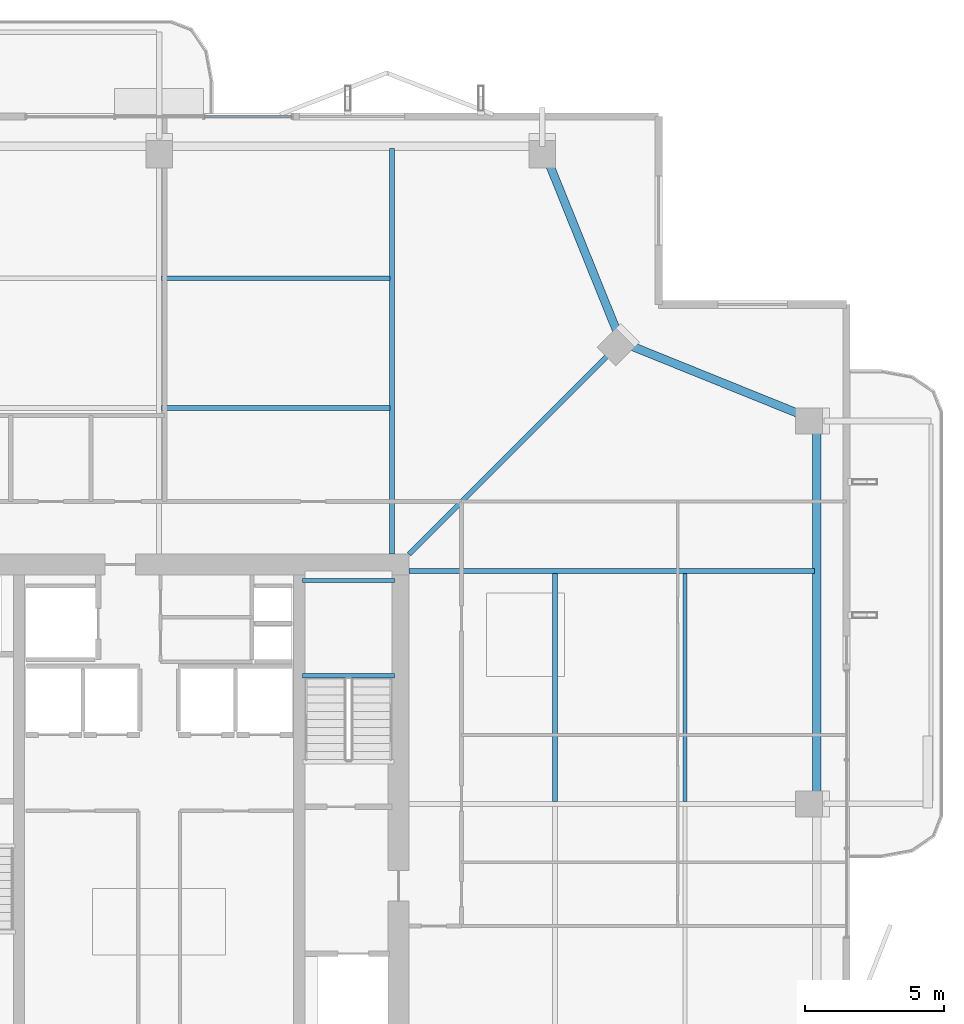
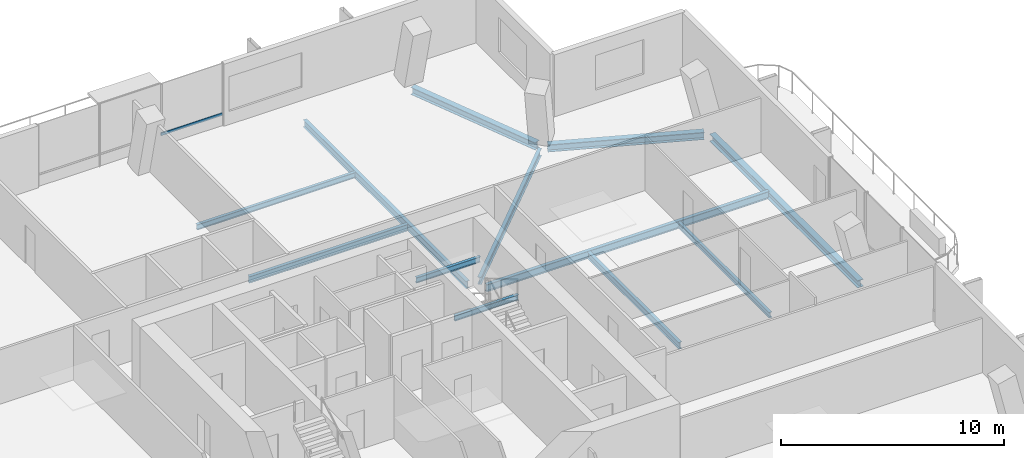
# One storey, part 14 of 25: 12 beams, 1 member, 1 element without a shape of its own.
"""IFC4 building model written with IfcOpenShell, lengths in metres."""

from ifc_helpers import new_model, si_unit, direction, frame, origin, origin_2d, place, context, subcontext, project, spatial, hollow_rectangle, i_section, extrude, material, layer, layer_set, material_profile, profile_set, type_object, element, aggregate, save


model = new_model("IFC4")

# Units and contexts
model_context = context("Model", 3, precision=1e-05, world=origin(), true_north=direction((0.0, 1.0)))
body_context = subcontext(model_context, "Body", "Model", "MODEL_VIEW")
ifc_project = project(units=[si_unit("LENGTHUNIT", "METRE"), si_unit("AREAUNIT", "SQUARE_METRE"), si_unit("VOLUMEUNIT", "CUBIC_METRE"), si_unit("PLANEANGLEUNIT", "RADIAN"), si_unit("MASSUNIT", "GRAM", prefix="KILO")], contexts=[model_context])

# Site, building, storey
site_placement = place(None, origin())
site = spatial("IfcSite", under=ifc_project, at=site_placement, CompositionType="ELEMENT")
building_placement = place(site_placement, origin())
building = spatial("IfcBuilding", under=site, at=building_placement, Name="Belovzor Exchange Tower", CompositionType="ELEMENT")
storey_placement = place(building_placement, frame((0.0, 0.0, 280.35009765625)))
storey = spatial("IfcBuildingStorey", under=building, at=storey_placement, Name="L70", CompositionType="ELEMENT", Elevation=280.35009765625)

# Beams
ifc_material_1 = material(Name="Steel S355", Category="steel")
ifc_material_profile_1 = material_profile(ifc_material_1, i_section(OverallWidth=0.169921875, OverallDepth=0.360107421875, WebThickness=0.008056640625, FlangeThickness=0.0126953125, at=origin_2d()))
ifc_profile_set_1 = profile_set([ifc_material_profile_1], Name="Steel S355")
beam_type_1 = type_object("IfcBeamType", Name="Secondary Infill Floor Joist IPE 360", PredefinedType="BEAM", material=ifc_profile_set_1)
for number, where, z_axis, x_axis, name in (
    (1, (28.889892578125, 43.06494140625, -0.43017578125), (1.0, 0.0, 0.0), (0.0, 1.0, 0.0), "FJ-360 Secondary Infill Floor Joist IPE 360"),
    (2, (43.06494140625, 28.889892578125, -0.43017578125), (0.0, 1.0, 0.0), (-1.0, 0.0, 0.0), "FJ-360 Secondary Infill Floor Joist IPE 360"),
):
    element("IfcBeam", number, at=place(storey_placement, frame(where, z_axis=z_axis, x_axis=x_axis)), inside=storey, type_object=beam_type_1, Name=name, PredefinedType="BEAM", context=body_context, shape_type="SweptSolid", body=[
        extrude(i_section(OverallWidth=0.169921875, OverallDepth=0.360107421875, WebThickness=0.008056640625, FlangeThickness=0.0126953125, at=origin_2d()), origin(), (0.0, 0.0, 1.0), 8.22021484375),
    ])
ifc_material_2 = material(Name="Steel S355", Category="steel")
ifc_material_profile_2 = material_profile(ifc_material_2, i_section(OverallWidth=0.14990234375, OverallDepth=0.300048828125, WebThickness=0.007080078125, FlangeThickness=0.0107421875, at=origin_2d()))
ifc_profile_set_2 = profile_set([ifc_material_profile_2], Name="Steel S355")
beam_type_2 = type_object("IfcBeamType", Name="Secondary Trim Floor Joist IPE 300", PredefinedType="BEAM", material=ifc_profile_set_2)
for number, where, z_axis, x_axis, name in (
    (3, (37.280029296875, 33.419921875, 1.52490234375), (-1.0, 0.0, 0.0), (0.0, -1.0, 0.0), "FJ-300 Secondary Trim Floor Joist IPE 300"),
    (4, (37.280029296875, 36.85009765625, 1.52490234375), (-1.0, 0.0, 0.0), (0.0, -1.0, 0.0), "FJ-300 Secondary Trim Floor Joist IPE 300"),
):
    element("IfcBeam", number, at=place(storey_placement, frame(where, z_axis=z_axis, x_axis=x_axis)), inside=storey, type_object=beam_type_2, Name=name, PredefinedType="BEAM", context=body_context, shape_type="SweptSolid", body=[
        extrude(i_section(OverallWidth=0.14990234375, OverallDepth=0.300048828125, WebThickness=0.007080078125, FlangeThickness=0.0107421875, at=origin_2d()), origin(), (0.0, 0.0, 1.0), 3.31005859375),
    ])
for number, where, z_axis, x_axis, name in (
    (5, (28.889892578125, 47.7451171875, -0.400146484375), (1.0, 0.0, 0.0), (0.0, 1.0, 0.0), "FJ-300 Secondary Trim Floor Joist IPE 300"),
    (6, (47.7451171875, 28.889892578125, -0.400146484375), (0.0, 1.0, 0.0), (-1.0, 0.0, 0.0), "FJ-300 Secondary Trim Floor Joist IPE 300"),
):
    element("IfcBeam", number, at=place(storey_placement, frame(where, z_axis=z_axis, x_axis=x_axis)), inside=storey, type_object=beam_type_2, Name=name, PredefinedType="BEAM", context=body_context, shape_type="SweptSolid", body=[
        extrude(i_section(OverallWidth=0.14990234375, OverallDepth=0.300048828125, WebThickness=0.007080078125, FlangeThickness=0.0107421875, at=origin_2d()), origin(), (0.0, 0.0, 1.0), 8.22021484375),
    ])

# Curtain wall, member
ifc_material_3 = material(Name="Anodised Aluminium Framing", Category="aluminium")
ifc_layer = layer(ifc_material_3, 0.179931640625)
ifc_layer_set = layer_set([ifc_layer], Name="Anodised Aluminium Framing")
curtain_wall_type = type_object("IfcCurtainWallType", Name="Recessed Loggia Low-Iron Triple-Glazed Curtain Wall", PredefinedType="NOTDEFINED", material=ifc_layer_set)
curtain_wall_placement = place(storey_placement, origin())
curtain_wall = element("IfcCurtainWall", 7, at=curtain_wall_placement, inside=storey, type_object=curtain_wall_type, Name="CW3 Recessed Loggia Low-Iron Triple-Glazed Curtain Wall L70", PredefinedType="NOTDEFINED")
ifc_material_4 = material(Name="Steel S355", Category="steel")
ifc_material_profile_3 = material_profile(ifc_material_4, hollow_rectangle(XDim=0.06005859375, YDim=0.14990234375, WallThickness=0.00390625, at=origin_2d()))
ifc_profile_set_3 = profile_set([ifc_material_profile_3], Name="Steel S355")
member_type = type_object("IfcMemberType", Name="Thermally Broken Curtain Wall Transom 150x60", PredefinedType="USERDEFINED", material=ifc_profile_set_3)
member_placement = place(storey_placement, frame((30.407958984375, 53.570068359375, 0.60986328125), z_axis=(1.0, 0.0, 0.0), x_axis=(0.0, 1.0, 0.0)))
member = element("IfcMember", 8, at=member_placement, type_object=member_type, Name="CW-T150 Curtain Wall Transom 3", ObjectType="TRANSOM", PredefinedType="USERDEFINED", context=body_context, shape_type="SweptSolid", body=[
    extrude(hollow_rectangle(XDim=0.06005859375, YDim=0.14990234375, WallThickness=0.00390625, at=origin_2d()), origin(), (0.0, 0.0, 1.0), 3.18408203125),
])
aggregate(curtain_wall, [member])

# Beams
ifc_material_5 = material(Name="Steel S355", Category="steel")
ifc_material_profile_4 = material_profile(ifc_material_5, i_section(OverallWidth=0.300048828125, OverallDepth=0.39990234375, WebThickness=0.013427734375, FlangeThickness=0.02392578125, at=origin_2d()))
ifc_profile_set_4 = profile_set([ifc_material_profile_4], Name="Steel S355")
beam_type_3 = type_object("IfcBeamType", Name="Zone 5 Primary Girder HEB 400", PredefinedType="BEAM", material=ifc_profile_set_4)
beam_1_placement = place(storey_placement, frame((52.5, 29.06103515625, -0.4501953125), z_axis=(0.0, 1.0, 0.0), x_axis=(-1.0, 0.0, 0.0)))
element("IfcBeam", 9, at=beam_1_placement, inside=storey, type_object=beam_type_3, Name="FG-Z5 Zone 5 Primary Girder HEB 400", PredefinedType="BEAM", context=body_context, shape_type="SweptSolid", body=[
    extrude(i_section(OverallWidth=0.300048828125, OverallDepth=0.39990234375, WebThickness=0.013427734375, FlangeThickness=0.02392578125, at=origin_2d()), origin(), (0.0, 0.0, 1.0), 13.278076171875),
])
for number, where, z_axis, x_axis, name in (
    (10, (52.258056640625, 42.697998046875, -0.4501953125), (-0.927127394661, 0.374746306278, 0.0), (-0.374746306278, -0.927127394661, 0.0), "FG-Z5 Zone 5 Primary Girder HEB 400"),
    (11, (45.35205078125, 45.69189453125, -0.4501953125), (-0.374746306278, 0.927127394661, 0.0), (-0.927127394661, -0.374746306278, 0.0), "FG-Z5 Zone 5 Primary Girder HEB 400"),
):
    element("IfcBeam", number, at=place(storey_placement, frame(where, z_axis=z_axis, x_axis=x_axis)), inside=storey, type_object=beam_type_3, Name=name, PredefinedType="BEAM", context=body_context, shape_type="SweptSolid", body=[
        extrude(i_section(OverallWidth=0.300048828125, OverallDepth=0.39990234375, WebThickness=0.013427734375, FlangeThickness=0.02392578125, at=origin_2d()), origin(), (0.0, 0.0, 1.0), 7.082275390625),
    ])
ifc_material_6 = material(Name="Steel S355", Category="steel")
ifc_material_profile_5 = material_profile(ifc_material_6, i_section(OverallWidth=0.179931640625, OverallDepth=0.39990234375, WebThickness=0.008544921875, FlangeThickness=0.013427734375, at=origin_2d()))
ifc_profile_set_5 = profile_set([ifc_material_profile_5], Name="Steel S355")
beam_type_4 = type_object("IfcBeamType", Name="Zone 5-6 Radial Composite Floor Beam IPE 400", PredefinedType="BEAM", material=ifc_profile_set_5)
for number, where, z_axis, x_axis, name in (
    (12, (37.199951171875, 37.800048828125, -0.4501953125), (0.0, 1.0, 0.0), (-1.0, 0.0, 0.0), "FB-400 Zone 5-6 Radial Composite Floor Beam IPE 400"),
    (13, (37.800048828125, 37.199951171875, -0.4501953125), (1.0, 0.0, 0.0), (0.0, 1.0, 0.0), "FB-400 Zone 5-6 Radial Composite Floor Beam IPE 400"),
):
    element("IfcBeam", number, at=place(storey_placement, frame(where, z_axis=z_axis, x_axis=x_axis)), inside=storey, type_object=beam_type_4, Name=name, PredefinedType="BEAM", context=body_context, shape_type="SweptSolid", body=[
        extrude(i_section(OverallWidth=0.179931640625, OverallDepth=0.39990234375, WebThickness=0.008544921875, FlangeThickness=0.013427734375, at=origin_2d()), origin(), (0.0, 0.0, 1.0), 14.625),
    ])
beam_2_placement = place(storey_placement, frame((37.800048828125, 37.800048828125, -0.4501953125), z_axis=(0.707106781187, 0.707106781187, 0.0), x_axis=(-0.707106781187, 0.707106781187, 0.0)))
element("IfcBeam", 14, at=beam_2_placement, inside=storey, type_object=beam_type_4, Name="FB-400 Zone 5-6 Radial Composite Floor Beam IPE 400", PredefinedType="BEAM", context=body_context, shape_type="SweptSolid", body=[
    extrude(i_section(OverallWidth=0.179931640625, OverallDepth=0.39990234375, WebThickness=0.008544921875, FlangeThickness=0.013427734375, at=origin_2d()), origin(), (0.0, 0.0, 1.0), 10.4833984375),
])

save(model, "model.ifc")
